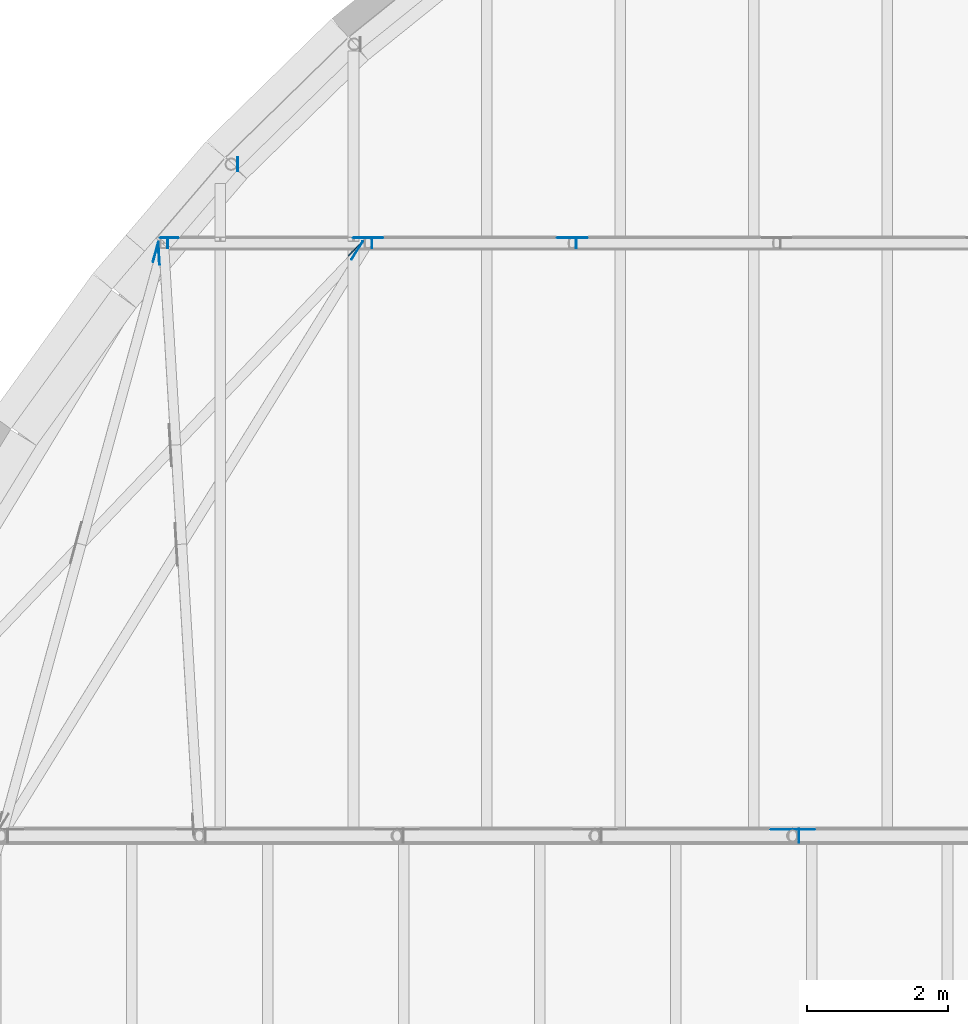
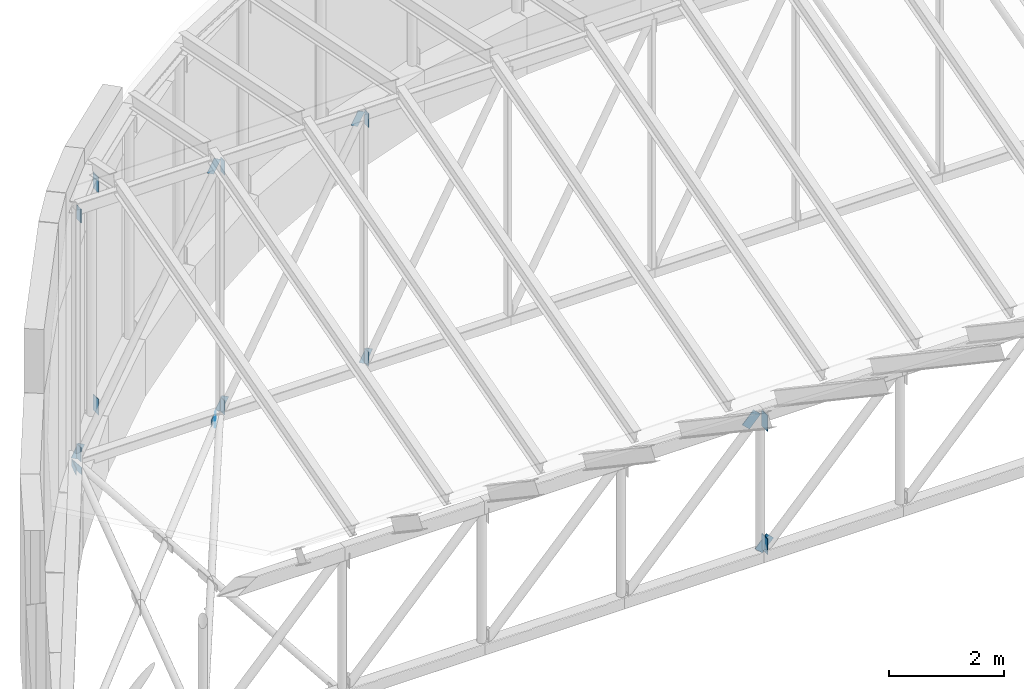
# One storey, part 61 of 68: 21 discrete accessories.
"""IFC4 building model written with IfcOpenShell, lengths in metres."""

from ifc_helpers import new_model, si_unit, direction, frame, origin, origin_2d, place, context, subcontext, project, spatial, rectangle, extrude, material, material_profile, profile_set, type_object, element, save


model = new_model("IFC4")

# Units and contexts
model_context = context("Model", 3, precision=1e-05, world=origin(), true_north=direction((0.0, 1.0)))
body_context = subcontext(model_context, "Body", "Model", "MODEL_VIEW")
ifc_project = project(units=[si_unit("LENGTHUNIT", "METRE"), si_unit("AREAUNIT", "SQUARE_METRE"), si_unit("VOLUMEUNIT", "CUBIC_METRE"), si_unit("PLANEANGLEUNIT", "RADIAN"), si_unit("MASSUNIT", "GRAM", prefix="KILO")], contexts=[model_context])

# Site, building, storey
site_placement = place(None, origin())
site = spatial("IfcSite", under=ifc_project, at=site_placement, CompositionType="ELEMENT")
building_placement = place(site_placement, origin())
building = spatial("IfcBuilding", under=site, at=building_placement, Name="Larchfold Concert Hall", CompositionType="ELEMENT")
storey_placement = place(building_placement, frame((0.0, 0.0, 28.800048828125)))
storey = spatial("IfcBuildingStorey", under=building, at=storey_placement, Name="L06", CompositionType="ELEMENT", Elevation=28.800048828125)

# Discrete accessories
ifc_material_1 = material(Name="Steel S355 galvanised bracket", Category="steel")
ifc_material_profile_1 = material_profile(ifc_material_1, rectangle(XDim=0.011962890625, YDim=0.14990234375, at=origin_2d()))
ifc_profile_set_1 = profile_set([ifc_material_profile_1], Name="Steel S355 galvanised bracket")
discrete_accessory_type_1 = type_object("IfcDiscreteAccessoryType", Name="Gusset plate 12x150", PredefinedType="BRACKET", material=ifc_profile_set_1)
for number, where, z_axis, x_axis, name in (
    (1, (26.731201171875, 110.39990234375, 5.39990234375), (0.0, 0.0, -1.0), (1.0, 0.0, 0.0), "Gusset plate GP0507"),
    (2, (26.731201171875, 110.39990234375, 0.320068359375), (0.0, 0.0, -1.0), (1.0, 0.0, 0.0), "Gusset plate GP0508"),
    (3, (29.626708984375, 110.39990234375, 5.39990234375), (0.0, 0.0, -1.0), (1.0, 0.0, 0.0), "Gusset plate GP0509"),
    (4, (29.626708984375, 110.39990234375, 0.300048828125), (0.0, 0.0, -1.0), (1.0, 0.0, 0.0), "Gusset plate GP0510"),
    (5, (32.52197265625, 110.39990234375, 5.39990234375), (0.0, 0.0, -1.0), (1.0, 0.0, 0.0), "Gusset plate GP0511"),
    (6, (32.52197265625, 110.39990234375, 0.320068359375), (0.0, 0.0, -1.0), (1.0, 0.0, 0.0), "Gusset plate GP0512"),
    (7, (26.684814453125, 110.475830078125, 0.017578125), (0.47210846789, 0.0, 0.881540466766), (0.0, 1.0, 0.0), "Gusset plate GP0531"),
    (8, (29.419677734375, 110.475830078125, 5.117919921875), (0.47210846789, 0.0, 0.881540466766), (0.0, 1.0, 0.0), "Gusset plate GP0532"),
    (9, (29.580322265625, 110.475830078125, 0.017578125), (0.47210846789, 0.0, 0.881540466766), (0.0, 1.0, 0.0), "Gusset plate GP0533"),
    (10, (32.31494140625, 110.475830078125, 5.117919921875), (0.47210846789, 0.0, 0.881540466766), (0.0, 1.0, 0.0), "Gusset plate GP0534"),
    (11, (32.4755859375, 110.475830078125, 0.017578125), (0.47210846789, 0.0, 0.881540466766), (0.0, 1.0, 0.0), "Gusset plate GP0535"),
    (12, (29.295166015625, 110.220458984375, 0.0), (0.689817654441, 0.723983151477, 0.0), (-0.723983151477, 0.689817654441, 0.0), "Gusset plate GP0616"),
):
    element("IfcDiscreteAccessory", number, at=place(storey_placement, frame(where, z_axis=z_axis, x_axis=x_axis)), inside=storey, type_object=discrete_accessory_type_1, Name=name, PredefinedType="BRACKET", context=body_context, shape_type="SweptSolid", body=[
        extrude(rectangle(XDim=0.011962890625, YDim=0.14990234375, at=origin_2d()), origin(), (0.0, 0.0, 1.0), 0.300048828125),
    ])
discrete_accessory_1_placement = place(storey_placement, frame((26.52294921875, 110.130615234375, 0.0), z_axis=(0.263737246716, 0.964594559748, 0.0), x_axis=(-0.964594559748, 0.263737246716, 0.0)))
element("IfcDiscreteAccessory", 13, at=discrete_accessory_1_placement, inside=storey, type_object=discrete_accessory_type_1, Name="Gusset plate GP0620", PredefinedType="BRACKET", context=body_context, shape_type="SweptSolid", body=[
    extrude(rectangle(XDim=0.011962890625, YDim=0.14990234375, at=origin_2d()), origin(), (0.0, 0.0, 1.0), 0.2998046875),
])
discrete_accessory_2_placement = place(storey_placement, frame((29.337890625, 110.167724609375, 0.0), z_axis=(0.526410633051, 0.850230466056, 0.0), x_axis=(-0.850230466056, 0.526410633051, 0.0)))
element("IfcDiscreteAccessory", 14, at=discrete_accessory_2_placement, inside=storey, type_object=discrete_accessory_type_1, Name="Gusset plate GP0622", PredefinedType="BRACKET", context=body_context, shape_type="SweptSolid", body=[
    extrude(rectangle(XDim=0.011962890625, YDim=0.14990234375, at=origin_2d()), origin(), (0.0, 0.0, 1.0), 0.300048828125),
])
discrete_accessory_3_placement = place(storey_placement, frame((26.617431640625, 110.095947265625, 0.0), z_axis=(-0.059437957686, 0.998232001684, 0.0), x_axis=(-0.998232001684, -0.059437957686, 0.0)))
element("IfcDiscreteAccessory", 15, at=discrete_accessory_3_placement, inside=storey, type_object=discrete_accessory_type_1, Name="Gusset plate GP0628", PredefinedType="BRACKET", context=body_context, shape_type="SweptSolid", body=[
    extrude(rectangle(XDim=0.011962890625, YDim=0.14990234375, at=origin_2d()), origin(), (0.0, 0.0, 1.0), 0.2998046875),
])
ifc_material_2 = material(Name="Steel S355 galvanised bracket", Category="steel")
ifc_material_profile_2 = material_profile(ifc_material_2, rectangle(XDim=0.011962890625, YDim=0.199951171875, at=origin_2d()))
ifc_profile_set_2 = profile_set([ifc_material_profile_2], Name="Steel S355 galvanised bracket")
discrete_accessory_type_2 = type_object("IfcDiscreteAccessoryType", Name="Gusset plate 12x200", PredefinedType="BRACKET", material=ifc_profile_set_2)
for number, where, z_axis, x_axis, name in (
    (16, (35.68017578125, 102.0, 2.97998046875), (0.0, 0.0, -1.0), (1.0, 0.0, 0.0), "Gusset plate GP0455"),
    (17, (35.68017578125, 102.0, 0.356689453125), (0.0, 0.0, -1.0), (1.0, 0.0, 0.0), "Gusset plate GP0456"),
):
    element("IfcDiscreteAccessory", number, at=place(storey_placement, frame(where, z_axis=z_axis, x_axis=x_axis)), inside=storey, type_object=discrete_accessory_type_2, Name=name, PredefinedType="BRACKET", context=body_context, shape_type="SweptSolid", body=[
        extrude(rectangle(XDim=0.011962890625, YDim=0.199951171875, at=origin_2d()), origin(), (0.0, 0.0, 1.0), 0.336669921875),
    ])
for number, where, z_axis, x_axis, name in (
    (18, (35.3466796875, 102.090087890625, 2.739501953125), (0.682757602912, 0.0, 0.730644958695), (0.0, 1.0, 0.0), "Gusset plate GP0486"),
    (19, (35.603759765625, 102.090087890625, 0.0146484375), (0.682757602912, 0.0, 0.730644958695), (0.0, 1.0, 0.0), "Gusset plate GP0487"),
):
    element("IfcDiscreteAccessory", number, at=place(storey_placement, frame(where, z_axis=z_axis, x_axis=x_axis)), inside=storey, type_object=discrete_accessory_type_2, Name=name, PredefinedType="BRACKET", context=body_context, shape_type="SweptSolid", body=[
        extrude(rectangle(XDim=0.011962890625, YDim=0.199951171875, at=origin_2d()), origin(), (0.0, 0.0, 1.0), 0.33642578125),
    ])
for number, where, z_axis, x_axis, name in (
    (20, (27.722900390625, 111.517822265625, 0.0), (0.0, 0.0, 1.0), (1.0, 0.0, 0.0), "Gusset plate GP0657"),
    (21, (27.722900390625, 111.517822265625, 4.72119140625), (0.0, 0.0, 1.0), (1.0, 0.0, 0.0), "Gusset plate GP0658"),
):
    element("IfcDiscreteAccessory", number, at=place(storey_placement, frame(where, z_axis=z_axis, x_axis=x_axis)), inside=storey, type_object=discrete_accessory_type_2, Name=name, PredefinedType="BRACKET", context=body_context, shape_type="SweptSolid", body=[
        extrude(rectangle(XDim=0.011962890625, YDim=0.199951171875, at=origin_2d()), origin(), (0.0, 0.0, 1.0), 0.336669921875),
    ])

save(model, "model.ifc")
